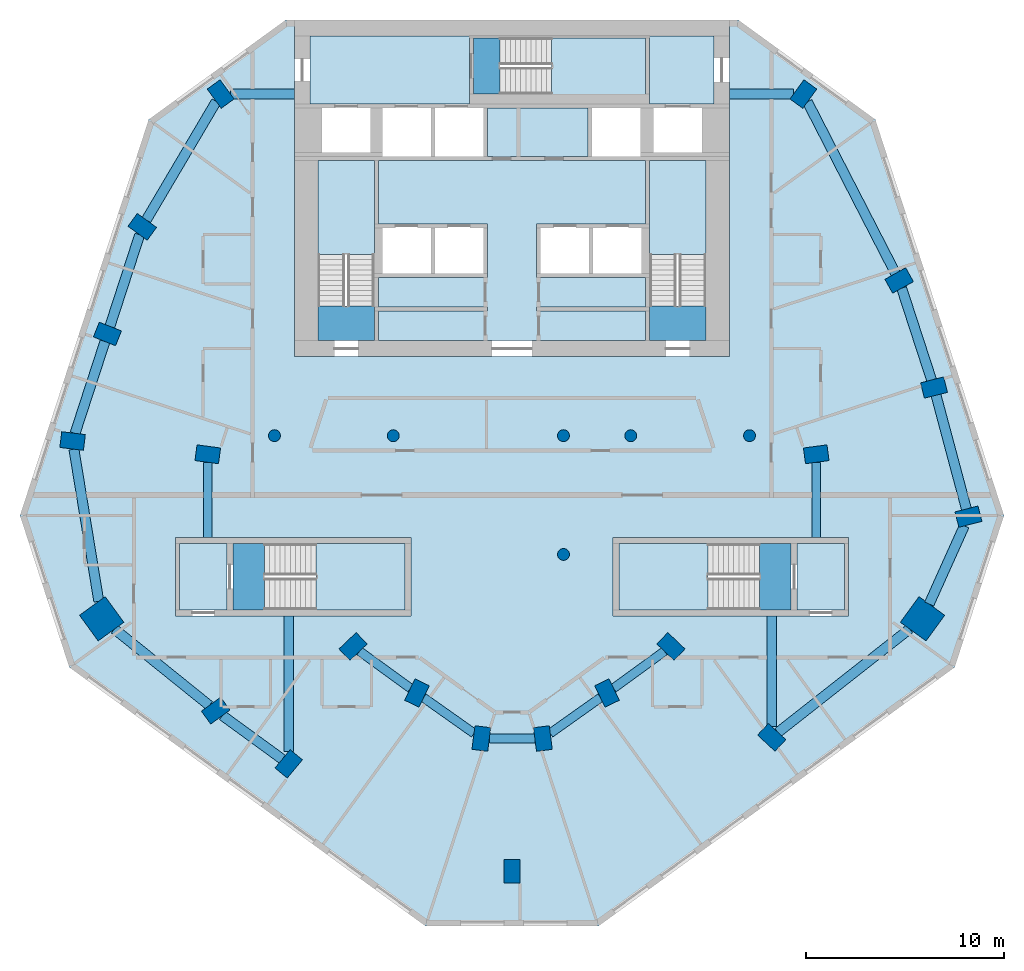
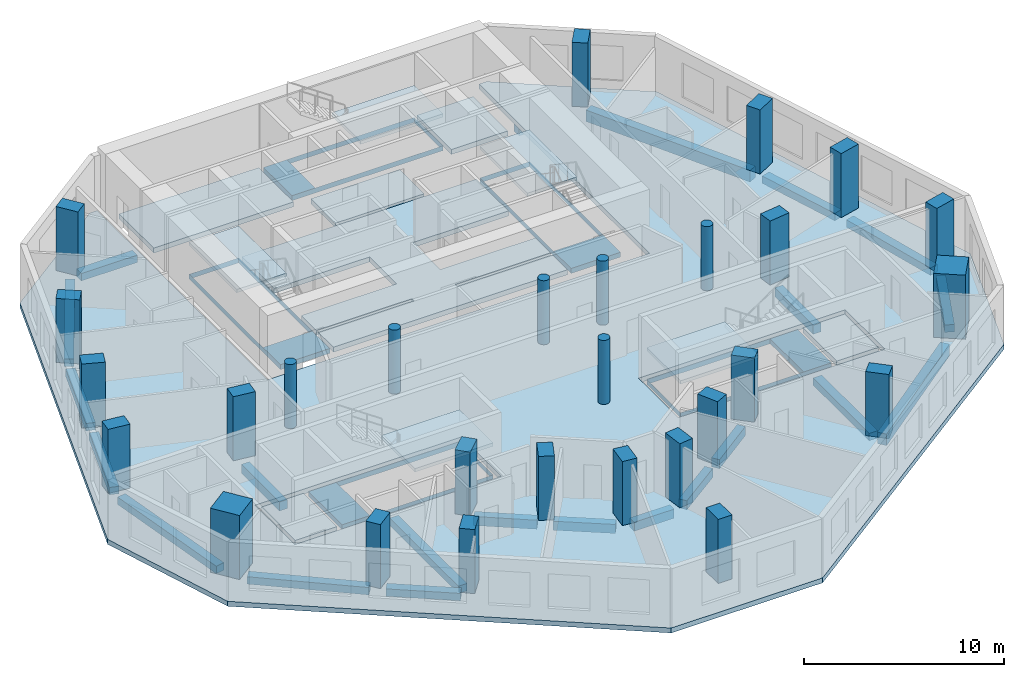
# One storey, part 1 of 9: 28 columns, 22 beams, 17 slabs, 5 elements without a shape of their own.
"""IFC4 building model written with IfcOpenShell, lengths in metres."""

from ifc_helpers import new_model, si_unit, direction, frame, origin, origin_2d, place, context, subcontext, project, spatial, polyline, rectangle, circle, outline, extrude, material, layer, layer_set, material_profile, profile_set, type_object, element, aggregate, save


model = new_model("IFC4")

# Units and contexts
model_context = context("Model", 3, precision=1e-05, world=origin(), true_north=direction((0.0, 1.0)))
body_context = subcontext(model_context, "Body", "Model", "MODEL_VIEW")
ifc_project = project(units=[si_unit("LENGTHUNIT", "METRE"), si_unit("AREAUNIT", "SQUARE_METRE"), si_unit("VOLUMEUNIT", "CUBIC_METRE"), si_unit("PLANEANGLEUNIT", "RADIAN"), si_unit("MASSUNIT", "GRAM", prefix="KILO")], contexts=[model_context])

# Site, building, storey
site_placement = place(None, origin())
site = spatial("IfcSite", under=ifc_project, at=site_placement, CompositionType="ELEMENT")
building_placement = place(site_placement, origin())
building = spatial("IfcBuilding", under=site, at=building_placement, Name="White Candle Pilgrim Tower", CompositionType="ELEMENT")
storey_placement = place(building_placement, frame((0.0, 0.0, 212.10009765625)))
storey = spatial("IfcBuildingStorey", under=building, at=storey_placement, Name="L49", CompositionType="ELEMENT", Elevation=212.10009765625)

# Columns
ifc_material_1 = material(Name="Concrete C70/85", Category="concrete")
ifc_material_profile_1 = material_profile(ifc_material_1, circle(Radius=0.300048828125, at=origin_2d()), Name="RC-COL D600")
ifc_profile_set_1 = profile_set([ifc_material_profile_1], Name="Concrete C70/85")
column_type_1 = type_object("IfcColumnType", Name="Interior column RC-COL D600 C70/85", PredefinedType="COLUMN", material=ifc_profile_set_1)
for number, where, z_axis, x_axis, name in (
    (1, (58.0, 67.0, 0.0), (0.0, 0.0, 1.0), (1.0, 0.0, 0.0), "L49 column I01"),
    (2, (64.0, 67.0, 0.0), (0.0, 0.0, 1.0), (1.0, 0.0, 0.0), "L49 column I02"),
    (3, (72.60009765625, 61.0, 0.0), (0.0, 0.0, 1.0), (1.0, 0.0, 0.0), "L49 column I03"),
    (4, (72.60009765625, 67.0, 0.0), (0.0, 0.0, 1.0), (1.0, 0.0, 0.0), "L49 column I04"),
    (5, (76.0, 67.0, 0.0), (0.0, 0.0, 1.0), (1.0, 0.0, 0.0), "L49 column I05"),
    (6, (82.0, 67.0, 0.0), (0.0, 0.0, 1.0), (1.0, 0.0, 0.0), "L49 column I06"),
):
    element("IfcColumn", number, at=place(storey_placement, frame(where, z_axis=z_axis, x_axis=x_axis)), inside=storey, type_object=column_type_1, Name=name, PredefinedType="COLUMN", context=body_context, shape_type="SweptSolid", body=[
        extrude(circle(Radius=0.300048828125, at=origin_2d()), origin(), (0.0, 0.0, 1.0), 3.89990234375),
    ])
ifc_material_profile_2 = material_profile(ifc_material_1, rectangle(XDim=1.60009765625, YDim=1.60009765625, at=origin_2d()), Name="RC 1600x1600")
ifc_profile_set_2 = profile_set([ifc_material_profile_2], Name="Concrete C70/85")
column_type_2 = type_object("IfcColumnType", Name="Mega column RC 1600x1600 C70/85", PredefinedType="COLUMN", material=ifc_profile_set_2)
for number, where, z_axis, x_axis, name in (
    (7, (49.27001953125, 57.75, 0.0), (0.0, 0.0, 1.0), (-0.809016994375, -0.587785252292, 0.0), "L49 mega column T01"),
    (8, (90.739990234375, 57.75, 0.0), (0.0, 0.0, 1.0), (0.809016994375, -0.587785252292, 0.0), "L49 mega column T06"),
):
    element("IfcColumn", number, at=place(storey_placement, frame(where, z_axis=z_axis, x_axis=x_axis)), inside=storey, type_object=column_type_2, Name=name, PredefinedType="COLUMN", context=body_context, shape_type="SweptSolid", body=[
        extrude(rectangle(XDim=1.60009765625, YDim=1.60009765625, at=origin_2d()), origin(), (0.0, 0.0, 1.0), 3.89990234375),
    ])
ifc_material_profile_3 = material_profile(ifc_material_1, rectangle(XDim=0.800048828125, YDim=1.199951171875, at=origin_2d()), Name="RC-PR 800x1200")
ifc_profile_set_3 = profile_set([ifc_material_profile_3], Name="Concrete C70/85")
column_type_3 = type_object("IfcColumnType", Name="Perimeter column RC-PR 800x1200 C70/85", PredefinedType="COLUMN", material=ifc_profile_set_3)
for number, where, z_axis, x_axis, name in (
    (9, (55.030029296875, 53.110107421875, 0.0), (0.0, 0.0, 1.0), (-0.58846280644, 0.808524288711, 0.0), "L49 column T02"),
    (10, (58.719970703125, 50.419921875, 0.0), (0.0, 0.0, 1.0), (-0.769310358735, 0.638875239733, 0.0), "L49 column T03"),
    (11, (70.0, 45.0, 0.0), (0.0, 0.0, 1.0), (-1.0, 0.0, 0.0), "L49 column T04"),
    (12, (83.1201171875, 51.760009765625, 0.0), (0.0, 0.0, 1.0), (-0.681998360062, -0.731353701619, 0.0), "L49 column T05"),
    (13, (93.06005859375, 62.909912109375, 0.0), (0.0, 0.0, 1.0), (0.246880623275, -0.969045900797, 0.0), "L49 column T07"),
    (14, (91.320068359375, 69.429931640625, 0.0), (0.0, 0.0, 1.0), (0.246880623275, -0.969045900797, 0.0), "L49 column T08"),
    (15, (89.56005859375, 74.840087890625, 0.0), (0.0, 0.0, 1.0), (0.484809620246, -0.874619707139, 0.0), "L49 column T09"),
    (16, (84.719970703125, 84.260009765625, 0.0), (0.0, 0.0, 1.0), (0.80902725304, -0.587771132193, 0.0), "L49 column T10"),
    (17, (55.280029296875, 84.260009765625, 0.0), (0.0, 0.0, 1.0), (0.80902725304, 0.587771132193, 0.0), "L49 column T11"),
    (18, (51.320068359375, 77.550048828125, 0.0), (0.0, 0.0, 1.0), (0.587107285614, 0.809509132239, 0.0), "L49 column T12"),
    (19, (49.56005859375, 72.139892578125, 0.0), (0.0, 0.0, 1.0), (0.369860269472, 0.929087391512, 0.0), "L49 column T13"),
    (20, (47.800048828125, 66.72998046875, 0.0), (0.0, 0.0, 1.0), (0.121869343405, 0.992546151641, 0.0), "L49 column T14"),
):
    element("IfcColumn", number, at=place(storey_placement, frame(where, z_axis=z_axis, x_axis=x_axis)), inside=storey, type_object=column_type_3, Name=name, PredefinedType="COLUMN", context=body_context, shape_type="SweptSolid", body=[
        extrude(rectangle(XDim=0.800048828125, YDim=1.199951171875, at=origin_2d()), origin(), (0.0, 0.0, 1.0), 3.89990234375),
    ])
ifc_material_profile_4 = material_profile(ifc_material_1, rectangle(XDim=0.800048828125, YDim=1.199951171875, at=origin_2d()), Name="RC-PR 800x1200")
ifc_profile_set_4 = profile_set([ifc_material_profile_4], Name="Concrete C70/85")
column_type_4 = type_object("IfcColumnType", Name="Ring column RC-PR 800x1200 C70/85", PredefinedType="COLUMN", material=ifc_profile_set_4)
for number, where, z_axis, x_axis, name in (
    (21, (61.969970703125, 56.35009765625, 0.0), (0.0, 0.0, 1.0), (-0.689872285383, 0.723931094691, 0.0), "L49 column R01"),
    (22, (65.199951171875, 54.0, 0.0), (0.0, 0.0, 1.0), (-0.901689191761, 0.43238478403, 0.0), "L49 column R02"),
    (23, (68.449951171875, 51.699951171875, 0.0), (0.0, 0.0, 1.0), (-0.992092811428, 0.125506388335, 0.0), "L49 column R03"),
    (24, (71.56005859375, 51.699951171875, 0.0), (0.0, 0.0, 1.0), (-0.992092811428, -0.125506388335, 0.0), "L49 column R04"),
    (25, (74.800048828125, 54.0, 0.0), (0.0, 0.0, 1.0), (-0.901689191761, -0.43238478403, 0.0), "L49 column R05"),
    (26, (78.030029296875, 56.35009765625, 0.0), (0.0, 0.0, 1.0), (-0.689872285383, -0.723931094691, 0.0), "L49 column R06"),
    (27, (85.3701171875, 66.06005859375, 0.0), (0.0, 0.0, 1.0), (0.132602381688, -0.991169313675, 0.0), "L49 column R07"),
    (28, (54.6298828125, 66.06005859375, 0.0), (0.0, 0.0, 1.0), (0.132602381688, 0.991169313675, 0.0), "L49 column R08"),
):
    element("IfcColumn", number, at=place(storey_placement, frame(where, z_axis=z_axis, x_axis=x_axis)), inside=storey, type_object=column_type_4, Name=name, PredefinedType="COLUMN", context=body_context, shape_type="SweptSolid", body=[
        extrude(rectangle(XDim=0.800048828125, YDim=1.199951171875, at=origin_2d()), origin(), (0.0, 0.0, 1.0), 3.89990234375),
    ])

# Beams
ifc_material_2 = material(Name="Concrete C50/60", Category="concrete")
ifc_material_profile_5 = material_profile(ifc_material_2, rectangle(XDim=0.449951171875, YDim=0.550048828125, at=origin_2d()), Name="RC-BM 450x550")
ifc_profile_set_5 = profile_set([ifc_material_profile_5], Name="Concrete C50/60")
beam_type_1 = type_object("IfcBeamType", Name="Ring beam RC-BM 450x550 C50/60", PredefinedType="BEAM", material=ifc_profile_set_5)
beam_1_placement = place(storey_placement, frame((62.298828125, 56.11083984375, -0.5751953125), z_axis=(0.808609951168, -0.588345091653, 0.0), x_axis=(0.588345091653, 0.808609951168, 0.0)))
element("IfcBeam", 29, at=beam_1_placement, inside=storey, type_object=beam_type_1, Name="L49 ring beam R01", PredefinedType="BEAM", context=body_context, shape_type="SweptSolid", body=[
    extrude(rectangle(XDim=0.449951171875, YDim=0.550048828125, at=origin_2d()), origin(), (0.0, 0.0, 1.0), 3.18115234375),
])
beam_2_placement = place(storey_placement, frame((65.53125, 53.765625, -0.5751953125), z_axis=(0.816256463166, -0.577689697277, 0.0), x_axis=(0.577689697277, 0.816256463166, 0.0)))
element("IfcBeam", 30, at=beam_2_placement, inside=storey, type_object=beam_type_1, Name="L49 ring beam R02", PredefinedType="BEAM", context=body_context, shape_type="SweptSolid", body=[
    extrude(rectangle(XDim=0.449951171875, YDim=0.550048828125, at=origin_2d()), origin(), (0.0, 0.0, 1.0), 3.122314453125),
])
beam_3_placement = place(storey_placement, frame((68.853271484375, 51.699951171875, -0.5751953125), z_axis=(1.0, 0.0, 0.0), x_axis=(0.0, 1.0, 0.0)))
element("IfcBeam", 31, at=beam_3_placement, inside=storey, type_object=beam_type_1, Name="L49 ring beam R03", PredefinedType="BEAM", context=body_context, shape_type="SweptSolid", body=[
    extrude(rectangle(XDim=0.449951171875, YDim=0.550048828125, at=origin_2d()), origin(), (0.0, 0.0, 1.0), 2.303466796875),
])
beam_4_placement = place(storey_placement, frame((71.929931640625, 51.962646484375, -0.5751953125), z_axis=(0.815419993855, 0.578869789868, 0.0), x_axis=(-0.578869789868, 0.815419993855, 0.0)))
element("IfcBeam", 32, at=beam_4_placement, inside=storey, type_object=beam_type_1, Name="L49 ring beam R04", PredefinedType="BEAM", context=body_context, shape_type="SweptSolid", body=[
    extrude(rectangle(XDim=0.449951171875, YDim=0.550048828125, at=origin_2d()), origin(), (0.0, 0.0, 1.0), 3.11376953125),
])
beam_5_placement = place(storey_placement, frame((75.12890625, 54.2392578125, -0.5751953125), z_axis=(0.808609951168, 0.588345091653, 0.0), x_axis=(-0.588345091653, 0.808609951168, 0.0)))
element("IfcBeam", 33, at=beam_5_placement, inside=storey, type_object=beam_type_1, Name="L49 ring beam R05", PredefinedType="BEAM", context=body_context, shape_type="SweptSolid", body=[
    extrude(rectangle(XDim=0.449951171875, YDim=0.550048828125, at=origin_2d()), origin(), (0.0, 0.0, 1.0), 3.18115234375),
])
for number, where, z_axis, x_axis, name in (
    (34, (85.3701171875, 65.656494140625, -0.5751953125), (0.0, -1.0, 0.0), (1.0, 0.0, 0.0), "L49 ring beam R06"),
    (35, (54.6298828125, 65.656494140625, -0.5751953125), (0.0, -1.0, 0.0), (1.0, 0.0, 0.0), "L49 ring beam R07"),
):
    element("IfcBeam", number, at=place(storey_placement, frame(where, z_axis=z_axis, x_axis=x_axis)), inside=storey, type_object=beam_type_1, Name=name, PredefinedType="BEAM", context=body_context, shape_type="SweptSolid", body=[
        extrude(rectangle(XDim=0.449951171875, YDim=0.550048828125, at=origin_2d()), origin(), (0.0, 0.0, 1.0), 3.806396484375),
    ])
ifc_material_profile_6 = material_profile(ifc_material_2, rectangle(XDim=0.5, YDim=0.449951171875, at=origin_2d()), Name="RC-BM 500x450")
ifc_profile_set_6 = profile_set([ifc_material_profile_6], Name="Concrete C50/60")
beam_type_2 = type_object("IfcBeamType", Name="Spandrel beam RC-BM 500x450 C50/60", PredefinedType="BEAM", material=ifc_profile_set_6)
beam_6_placement = place(storey_placement, frame((49.915283203125, 57.22998046875, -0.525146484375), z_axis=(0.778778136726, -0.62729946099, 0.0), x_axis=(0.62729946099, 0.778778136726, 0.0)))
element("IfcBeam", 36, at=beam_6_placement, inside=storey, type_object=beam_type_2, Name="L49 spandrel beam T01", PredefinedType="BEAM", context=body_context, shape_type="SweptSolid", body=[
    extrude(rectangle(XDim=0.5, YDim=0.449951171875, at=origin_2d()), origin(), (0.0, 0.0, 1.0), 6.153564453125),
])
beam_7_placement = place(storey_placement, frame((55.36962890625, 52.8623046875, -0.525146484375), z_axis=(0.808061834145, -0.58909767628, 0.0), x_axis=(0.58909767628, 0.808061834145, 0.0)))
element("IfcBeam", 37, at=beam_7_placement, inside=storey, type_object=beam_type_2, Name="L49 spandrel beam T02", PredefinedType="BEAM", context=body_context, shape_type="SweptSolid", body=[
    extrude(rectangle(XDim=0.5, YDim=0.449951171875, at=origin_2d()), origin(), (0.0, 0.0, 1.0), 3.7451171875),
])
beam_8_placement = place(storey_placement, frame((58.719970703125, 51.046142578125, -0.525146484375), z_axis=(0.0, 1.0, 0.0), x_axis=(-1.0, 0.0, 0.0)))
element("IfcBeam", 38, at=beam_8_placement, inside=storey, type_object=beam_type_2, Name="L49 spandrel beam T03", PredefinedType="BEAM", context=body_context, shape_type="SweptSolid", body=[
    extrude(rectangle(XDim=0.5, YDim=0.449951171875, at=origin_2d()), origin(), (0.0, 0.0, 1.0), 6.853759765625),
])
beam_9_placement = place(storey_placement, frame((83.1201171875, 52.306884765625, -0.525146484375), z_axis=(0.0, 1.0, 0.0), x_axis=(-1.0, 0.0, 0.0)))
element("IfcBeam", 39, at=beam_9_placement, inside=storey, type_object=beam_type_2, Name="L49 spandrel beam T04", PredefinedType="BEAM", context=body_context, shape_type="SweptSolid", body=[
    extrude(rectangle(XDim=0.5, YDim=0.449951171875, at=origin_2d()), origin(), (0.0, 0.0, 1.0), 5.593017578125),
])
beam_10_placement = place(storey_placement, frame((91.0751953125, 58.495361328125, -0.525146484375), z_axis=(0.410043403319, 0.912066010437, 0.0), x_axis=(-0.912066010437, 0.410043403319, 0.0)))
element("IfcBeam", 40, at=beam_10_placement, inside=storey, type_object=beam_type_2, Name="L49 spandrel beam T06", PredefinedType="BEAM", context=body_context, shape_type="SweptSolid", body=[
    extrude(rectangle(XDim=0.5, YDim=0.449951171875, at=origin_2d()), origin(), (0.0, 0.0, 1.0), 4.3291015625),
])
beam_11_placement = place(storey_placement, frame((92.956787109375, 63.29638671875, -0.525146484375), z_axis=(-0.257841470678, 0.966187236512, 0.0), x_axis=(-0.966187236512, -0.257841470678, 0.0)))
element("IfcBeam", 41, at=beam_11_placement, inside=storey, type_object=beam_type_2, Name="L49 spandrel beam T07", PredefinedType="BEAM", context=body_context, shape_type="SweptSolid", body=[
    extrude(rectangle(XDim=0.5, YDim=0.449951171875, at=origin_2d()), origin(), (0.0, 0.0, 1.0), 5.9482421875),
])
beam_12_placement = place(storey_placement, frame((91.196044921875, 69.811279296875, -0.525146484375), z_axis=(-0.309391453236, 0.950934765725, 0.0), x_axis=(-0.950934765725, -0.309391453236, 0.0)))
element("IfcBeam", 42, at=beam_12_placement, inside=storey, type_object=beam_type_2, Name="L49 spandrel beam T08", PredefinedType="BEAM", context=body_context, shape_type="SweptSolid", body=[
    extrude(rectangle(XDim=0.5, YDim=0.449951171875, at=origin_2d()), origin(), (0.0, 0.0, 1.0), 4.880615234375),
])
for number, where, z_axis, x_axis, name in (
    (43, (84.2255859375, 84.260009765625, -0.525146484375), (-1.0, 0.0, 0.0), (0.0, -1.0, 0.0), "L49 spandrel beam T10"),
    (44, (55.7744140625, 84.260009765625, -0.525146484375), (1.0, 0.0, 0.0), (0.0, 1.0, 0.0), "L49 spandrel beam T11"),
):
    element("IfcBeam", number, at=place(storey_placement, frame(where, z_axis=z_axis, x_axis=x_axis)), inside=storey, type_object=beam_type_2, Name=name, PredefinedType="BEAM", context=body_context, shape_type="SweptSolid", body=[
        extrude(rectangle(XDim=0.5, YDim=0.449951171875, at=origin_2d()), origin(), (0.0, 0.0, 1.0), 3.2255859375),
    ])
beam_13_placement = place(storey_placement, frame((55.058349609375, 83.884521484375, -0.525146484375), z_axis=(-0.508250169427, -0.861209478163, 0.0), x_axis=(0.861209478163, -0.508250169427, 0.0)))
element("IfcBeam", 45, at=beam_13_placement, inside=storey, type_object=beam_type_2, Name="L49 spandrel beam T12", PredefinedType="BEAM", context=body_context, shape_type="SweptSolid", body=[
    extrude(rectangle(XDim=0.5, YDim=0.449951171875, at=origin_2d()), origin(), (0.0, 0.0, 1.0), 6.95361328125),
])
beam_14_placement = place(storey_placement, frame((51.18994140625, 77.150146484375, -0.525146484375), z_axis=(-0.30935824251, -0.950945570362, 0.0), x_axis=(0.950945570362, -0.30935824251, 0.0)))
element("IfcBeam", 46, at=beam_14_placement, inside=storey, type_object=beam_type_2, Name="L49 spandrel beam T13", PredefinedType="BEAM", context=body_context, shape_type="SweptSolid", body=[
    extrude(rectangle(XDim=0.5, YDim=0.449951171875, at=origin_2d()), origin(), (0.0, 0.0, 1.0), 4.86767578125),
])
beam_15_placement = place(storey_placement, frame((49.43603515625, 71.7587890625, -0.525146484375), z_axis=(-0.309376736615, -0.950939553726, 0.0), x_axis=(0.950939553726, -0.309376736615, 0.0)))
element("IfcBeam", 47, at=beam_15_placement, inside=storey, type_object=beam_type_2, Name="L49 spandrel beam T14", PredefinedType="BEAM", context=body_context, shape_type="SweptSolid", body=[
    extrude(rectangle(XDim=0.5, YDim=0.449951171875, at=origin_2d()), origin(), (0.0, 0.0, 1.0), 4.880859375),
])
beam_16_placement = place(storey_placement, frame((47.8671875, 66.318603515625, -0.525146484375), z_axis=(0.161556298314, -0.986863497387, 0.0), x_axis=(0.986863497387, 0.161556298314, 0.0)))
element("IfcBeam", 48, at=beam_16_placement, inside=storey, type_object=beam_type_2, Name="L49 spandrel beam T15", PredefinedType="BEAM", context=body_context, shape_type="SweptSolid", body=[
    extrude(rectangle(XDim=0.5, YDim=0.449951171875, at=origin_2d()), origin(), (0.0, 0.0, 1.0), 7.787109375),
])
ifc_material_profile_7 = material_profile(ifc_material_2, rectangle(XDim=0.5, YDim=0.699951171875, at=origin_2d()), Name="RC-BM 500x700")
ifc_profile_set_7 = profile_set([ifc_material_profile_7], Name="Concrete C50/60")
beam_type_3 = type_object("IfcBeamType", Name="Spandrel beam RC-BM 500x700 C50/60", PredefinedType="BEAM", material=ifc_profile_set_7)
beam_17_placement = place(storey_placement, frame((83.438232421875, 52.01025390625, -0.650146484375), z_axis=(0.786178058268, 0.618000049109, 0.0), x_axis=(-0.618000049109, 0.786178058268, 0.0)))
element("IfcBeam", 49, at=beam_17_placement, inside=storey, type_object=beam_type_3, Name="L49 spandrel beam T05", PredefinedType="BEAM", context=body_context, shape_type="SweptSolid", body=[
    extrude(rectangle(XDim=0.5, YDim=0.699951171875, at=origin_2d()), origin(), (0.0, 0.0, 1.0), 8.4560546875),
])
beam_18_placement = place(storey_placement, frame((89.377197265625, 75.196044921875, -0.650146484375), z_axis=(-0.457020130081, 0.889456351206, 0.0), x_axis=(-0.889456351206, -0.457020130081, 0.0)))
element("IfcBeam", 50, at=beam_18_placement, inside=storey, type_object=beam_type_3, Name="L49 spandrel beam T09", PredefinedType="BEAM", context=body_context, shape_type="SweptSolid", body=[
    extrude(rectangle(XDim=0.5, YDim=0.699951171875, at=origin_2d()), origin(), (0.0, 0.0, 1.0), 9.7421875),
])

# Slabs
ifc_material_3 = material(Name="Concrete C40/50", Category="concrete")
ifc_layer_1 = layer(ifc_material_3, 0.300048828125)
ifc_layer_set_1 = layer_set([ifc_layer_1], Name="Core floor slab 300 mm Concrete C40/50")
slab_type_1 = type_object("IfcSlabType", Name="Core floor slab 300 mm Concrete C40/50", PredefinedType="FLOOR", material=ifc_layer_set_1)
slab_1_placement = place(storey_placement, frame((0.0, 0.0, -0.300048828125)))
element("IfcSlab", 51, at=slab_1_placement, inside=storey, type_object=slab_type_1, Name="CF-L49-01", PredefinedType="FLOOR", context=body_context, shape_type="SweptSolid", body=[
    extrude(outline(polyline([(55.60009765625, 58.199951171875), (53.199951171875, 58.199951171875), (53.199951171875, 61.550048828125), (55.60009765625, 61.550048828125), (55.60009765625, 58.199951171875)])), origin(), (0.0, 0.0, 1.0), 0.300048828125),
])
slab_2_placement = place(storey_placement, frame((0.0, 0.0, -0.300048828125)))
element("IfcSlab", 52, at=slab_2_placement, inside=storey, type_object=slab_type_1, Name="CF-L49-02", PredefinedType="FLOOR", context=body_context, shape_type="SweptSolid", body=[
    extrude(outline(polyline([(55.89990234375, 58.199951171875), (55.89990234375, 61.550048828125), (64.60009765625, 61.550048828125), (64.60009765625, 58.199951171875), (55.89990234375, 58.199951171875)]), holes=[polyline([(57.501953125, 61.548095703125), (57.501953125, 58.201904296875), (64.597900390625, 58.201904296875), (64.597900390625, 61.548095703125), (57.501953125, 61.548095703125)])]), origin(), (0.0, 0.0, 1.0), 0.300048828125),
])
slab_3_placement = place(storey_placement, frame((0.0, 0.0, -0.300048828125)))
element("IfcSlab", 53, at=slab_3_placement, inside=storey, type_object=slab_type_1, Name="CF-L49-03", PredefinedType="FLOOR", context=body_context, shape_type="SweptSolid", body=[
    extrude(outline(polyline([(75.39990234375, 58.199951171875), (75.39990234375, 61.550048828125), (84.10009765625, 61.550048828125), (84.10009765625, 58.199951171875), (75.39990234375, 58.199951171875)]), holes=[polyline([(82.498046875, 58.201904296875), (82.498046875, 61.548095703125), (75.402099609375, 61.548095703125), (75.402099609375, 58.201904296875), (82.498046875, 58.201904296875)])]), origin(), (0.0, 0.0, 1.0), 0.300048828125),
])
slab_4_placement = place(storey_placement, frame((0.0, 0.0, -0.300048828125)))
element("IfcSlab", 54, at=slab_4_placement, inside=storey, type_object=slab_type_1, Name="CF-L49-04", PredefinedType="FLOOR", context=body_context, shape_type="SweptSolid", body=[
    extrude(outline(polyline([(86.800048828125, 58.199951171875), (84.39990234375, 58.199951171875), (84.39990234375, 61.550048828125), (86.800048828125, 61.550048828125), (86.800048828125, 58.199951171875)])), origin(), (0.0, 0.0, 1.0), 0.300048828125),
])
slab_5_placement = place(storey_placement, frame((0.0, 0.0, -0.300048828125)))
element("IfcSlab", 55, at=slab_5_placement, inside=storey, type_object=slab_type_1, Name="CF-L49-05", PredefinedType="FLOOR", context=body_context, shape_type="SweptSolid", body=[
    extrude(outline(polyline([(76.949951171875, 71.800048828125), (76.949951171875, 73.300048828125), (76.949951171875, 73.5), (76.949951171875, 75.0), (76.949951171875, 75.199951171875), (76.949951171875, 77.5), (76.949951171875, 77.699951171875), (76.949951171875, 80.89990234375), (79.800048828125, 80.89990234375), (79.800048828125, 71.800048828125), (76.949951171875, 71.800048828125)]), holes=[polyline([(76.951904296875, 73.552001953125), (79.798095703125, 73.552001953125), (79.798095703125, 80.89794921875), (76.951904296875, 80.89794921875), (76.951904296875, 73.552001953125)])]), origin(), (0.0, 0.0, 1.0), 0.300048828125),
])
slab_6_placement = place(storey_placement, frame((0.0, 0.0, -0.300048828125)))
element("IfcSlab", 56, at=slab_6_placement, inside=storey, type_object=slab_type_1, Name="CF-L49-06", PredefinedType="FLOOR", context=body_context, shape_type="SweptSolid", body=[
    extrude(outline(polyline([(63.25, 71.800048828125), (63.25, 73.300048828125), (68.75, 73.300048828125), (68.75, 73.5), (63.25, 73.5), (63.25, 75.0), (68.75, 75.0), (68.75, 75.199951171875), (68.75, 77.5), (68.75, 77.699951171875), (63.25, 77.699951171875), (63.25, 80.89990234375), (76.75, 80.89990234375), (76.75, 77.699951171875), (71.25, 77.699951171875), (71.25, 77.5), (71.25, 75.199951171875), (71.25, 75.0), (76.75, 75.0), (76.75, 73.5), (71.25, 73.5), (71.25, 73.300048828125), (76.75, 73.300048828125), (76.75, 71.800048828125), (63.25, 71.800048828125)])), origin(), (0.0, 0.0, 1.0), 0.300048828125),
])
slab_7_placement = place(storey_placement, frame((0.0, 0.0, -0.300048828125)))
element("IfcSlab", 57, at=slab_7_placement, inside=storey, type_object=slab_type_1, Name="CF-L49-07", PredefinedType="FLOOR", context=body_context, shape_type="SweptSolid", body=[
    extrude(outline(polyline([(60.199951171875, 71.800048828125), (60.199951171875, 80.89990234375), (63.050048828125, 80.89990234375), (63.050048828125, 77.699951171875), (63.050048828125, 77.5), (63.050048828125, 75.199951171875), (63.050048828125, 75.0), (63.050048828125, 73.5), (63.050048828125, 73.300048828125), (63.050048828125, 71.800048828125), (60.199951171875, 71.800048828125)]), holes=[polyline([(60.201904296875, 73.552001953125), (63.048095703125, 73.552001953125), (63.048095703125, 80.89794921875), (60.201904296875, 80.89794921875), (60.201904296875, 73.552001953125)])]), origin(), (0.0, 0.0, 1.0), 0.300048828125),
])
slab_8_placement = place(storey_placement, frame((0.0, 0.0, -0.300048828125)))
element("IfcSlab", 58, at=slab_8_placement, inside=storey, type_object=slab_type_1, Name="CF-L49-08", PredefinedType="FLOOR", context=body_context, shape_type="SweptSolid", body=[
    extrude(outline(polyline([(59.800048828125, 87.199951171875), (67.85009765625, 87.199951171875), (67.85009765625, 87.10009765625), (67.85009765625, 84.25), (67.85009765625, 83.75), (59.800048828125, 83.75), (59.800048828125, 87.199951171875)])), origin(), (0.0, 0.0, 1.0), 0.300048828125),
])
slab_9_placement = place(storey_placement, frame((0.0, 0.0, -0.300048828125)))
element("IfcSlab", 59, at=slab_9_placement, inside=storey, type_object=slab_type_1, Name="CF-L49-09", PredefinedType="FLOOR", context=body_context, shape_type="SweptSolid", body=[
    extrude(outline(polyline([(80.199951171875, 87.199951171875), (80.199951171875, 83.75), (76.949951171875, 83.75), (76.949951171875, 84.25), (76.949951171875, 87.10009765625), (76.949951171875, 87.199951171875), (80.199951171875, 87.199951171875)])), origin(), (0.0, 0.0, 1.0), 0.300048828125),
])
slab_10_placement = place(storey_placement, frame((0.0, 0.0, -0.300048828125)))
element("IfcSlab", 60, at=slab_10_placement, inside=storey, type_object=slab_type_1, Name="CF-L49-10", PredefinedType="FLOOR", context=body_context, shape_type="SweptSolid", body=[
    extrude(outline(polyline([(68.050048828125, 87.10009765625), (76.75, 87.10009765625), (76.75, 84.25), (68.050048828125, 84.25), (68.050048828125, 87.10009765625)]), holes=[polyline([(69.402099609375, 87.097900390625), (69.402099609375, 84.251953125), (76.748046875, 84.251953125), (76.748046875, 87.097900390625), (69.402099609375, 87.097900390625)])]), origin(), (0.0, 0.0, 1.0), 0.300048828125),
])
slab_11_placement = place(storey_placement, frame((0.0, 0.0, -0.300048828125)))
element("IfcSlab", 61, at=slab_11_placement, inside=storey, type_object=slab_type_1, Name="CF-L49-11", PredefinedType="FLOOR", context=body_context, shape_type="SweptSolid", body=[
    extrude(outline(polyline([(73.85009765625, 83.550048828125), (73.85009765625, 81.10009765625), (68.75, 81.10009765625), (68.75, 83.550048828125), (73.85009765625, 83.550048828125)])), origin(), (0.0, 0.0, 1.0), 0.300048828125),
])
ifc_layer_2 = layer(ifc_material_3, 0.300048828125)
ifc_layer_set_2 = layer_set([ifc_layer_2], Name="Floor slab 300 REI 120")
slab_type_2 = type_object("IfcSlabType", Name="Floor slab 300 REI 120", PredefinedType="FLOOR", material=ifc_layer_set_2)
slab_12_placement = place(storey_placement, frame((0.0, 0.0, -0.300048828125)))
element("IfcSlab", 62, at=slab_12_placement, inside=storey, type_object=slab_type_2, Name="L49 floor slab", PredefinedType="FLOOR", context=body_context, shape_type="SweptSolid", body=[
    extrude(outline(polyline([(65.63525390625, 42.219482421875), (74.36474609375, 42.219482421875), (92.364990234375, 55.29736328125), (94.85595703125, 62.96337890625), (88.353759765625, 82.974609375), (81.43701171875, 88.0), (81.0, 88.0), (81.0, 71.0), (59.0, 71.0), (59.0, 88.0), (58.56298828125, 88.0), (51.646240234375, 82.974609375), (45.14404296875, 62.96337890625), (47.635009765625, 55.29736328125), (65.63525390625, 42.219482421875)]), holes=[polyline([(53.0, 57.89990234375), (53.0, 61.85009765625), (64.89990234375, 61.85009765625), (64.89990234375, 57.89990234375), (53.0, 57.89990234375)]), polyline([(75.10009765625, 57.89990234375), (75.10009765625, 61.85009765625), (87.0, 61.85009765625), (87.0, 57.89990234375), (75.10009765625, 57.89990234375)])]), origin(), (0.0, 0.0, 1.0), 0.300048828125),
])

# Stair, slab
stair_type_1 = type_object("IfcStairType", Name="Exit stair 1 flight width 1350 mm", PredefinedType="HALF_TURN_STAIR", material=ifc_material_3)
stair_1_placement = place(storey_placement, origin())
stair_1 = element("IfcStair", 63, at=stair_1_placement, inside=storey, type_object=stair_type_1, Name="L49 stair 1", PredefinedType="NOTDEFINED")
ifc_layer_3 = layer(ifc_material_3, 0.199951171875)
ifc_layer_set_3 = layer_set([ifc_layer_3], Name="Stair landing Concrete C40/50")
slab_type_3 = type_object("IfcSlabType", Name="Stair landing Concrete C40/50", PredefinedType="LANDING", material=ifc_layer_set_3)
slab_13_placement = place(storey_placement, frame((0.0, 0.0, 1.75)))
slab_13 = element("IfcSlab", 64, at=slab_13_placement, type_object=slab_type_3, Name="ST1 landing 1", PredefinedType="LANDING", context=body_context, shape_type="SweptSolid", body=[
    extrude(outline(polyline([(63.052001953125, 76.14794921875), (60.197998046875, 76.14794921875), (60.197998046875, 80.902099609375), (63.052001953125, 80.902099609375), (63.052001953125, 76.14794921875)])), origin(), (0.0, 0.0, 1.0), 0.199951171875),
])
aggregate(stair_1, [slab_13])

stair_type_2 = type_object("IfcStairType", Name="Exit stair 2 flight width 1350 mm", PredefinedType="HALF_TURN_STAIR", material=ifc_material_3)
stair_2_placement = place(storey_placement, origin())
stair_2 = element("IfcStair", 65, at=stair_2_placement, inside=storey, type_object=stair_type_2, Name="L49 stair 2", PredefinedType="NOTDEFINED")
slab_14_placement = place(storey_placement, frame((0.0, 0.0, 1.75)))
slab_14 = element("IfcSlab", 66, at=slab_14_placement, type_object=slab_type_3, Name="ST2 landing 1", PredefinedType="LANDING", context=body_context, shape_type="SweptSolid", body=[
    extrude(outline(polyline([(79.802001953125, 76.14794921875), (76.947998046875, 76.14794921875), (76.947998046875, 80.902099609375), (79.802001953125, 80.902099609375), (79.802001953125, 76.14794921875)])), origin(), (0.0, 0.0, 1.0), 0.199951171875),
])
aggregate(stair_2, [slab_14])

stair_type_3 = type_object("IfcStairType", Name="Exit stair 3 flight width 1350 mm", PredefinedType="HALF_TURN_STAIR", material=ifc_material_3)
stair_3_placement = place(storey_placement, origin())
stair_3 = element("IfcStair", 67, at=stair_3_placement, inside=storey, type_object=stair_type_3, Name="L49 stair 3", PredefinedType="NOTDEFINED")
slab_15_placement = place(storey_placement, frame((0.0, 0.0, 1.75)))
slab_15 = element("IfcSlab", 68, at=slab_15_placement, type_object=slab_type_3, Name="ST3 landing 1", PredefinedType="LANDING", context=body_context, shape_type="SweptSolid", body=[
    extrude(outline(polyline([(71.998046875, 84.248046875), (71.998046875, 87.10205078125), (76.751953125, 87.10205078125), (76.751953125, 84.248046875), (71.998046875, 84.248046875)])), origin(), (0.0, 0.0, 1.0), 0.199951171875),
])
aggregate(stair_3, [slab_15])

stair_type_4 = type_object("IfcStairType", Name="Exit stair 4 flight width 1600 mm", PredefinedType="HALF_TURN_STAIR", material=ifc_material_3)
stair_4_placement = place(storey_placement, origin())
stair_4 = element("IfcStair", 69, at=stair_4_placement, inside=storey, type_object=stair_type_4, Name="L49 stair 4", PredefinedType="NOTDEFINED")
slab_16_placement = place(storey_placement, frame((0.0, 0.0, 1.75)))
slab_16 = element("IfcSlab", 70, at=slab_16_placement, type_object=slab_type_3, Name="ST4 landing 1", PredefinedType="LANDING", context=body_context, shape_type="SweptSolid", body=[
    extrude(outline(polyline([(79.902099609375, 61.552001953125), (79.902099609375, 58.197998046875), (75.39794921875, 58.197998046875), (75.39794921875, 61.552001953125), (79.902099609375, 61.552001953125)])), origin(), (0.0, 0.0, 1.0), 0.199951171875),
])
aggregate(stair_4, [slab_16])

stair_type_5 = type_object("IfcStairType", Name="Exit stair 5 flight width 1600 mm", PredefinedType="HALF_TURN_STAIR", material=ifc_material_3)
stair_5_placement = place(storey_placement, origin())
stair_5 = element("IfcStair", 71, at=stair_5_placement, inside=storey, type_object=stair_type_5, Name="L49 stair 5", PredefinedType="NOTDEFINED")
slab_17_placement = place(storey_placement, frame((0.0, 0.0, 1.75)))
slab_17 = element("IfcSlab", 72, at=slab_17_placement, type_object=slab_type_3, Name="ST5 landing 1", PredefinedType="LANDING", context=body_context, shape_type="SweptSolid", body=[
    extrude(outline(polyline([(60.097900390625, 58.197998046875), (60.097900390625, 61.552001953125), (64.60205078125, 61.552001953125), (64.60205078125, 58.197998046875), (60.097900390625, 58.197998046875)])), origin(), (0.0, 0.0, 1.0), 0.199951171875),
])
aggregate(stair_5, [slab_17])

save(model, "model.ifc")
